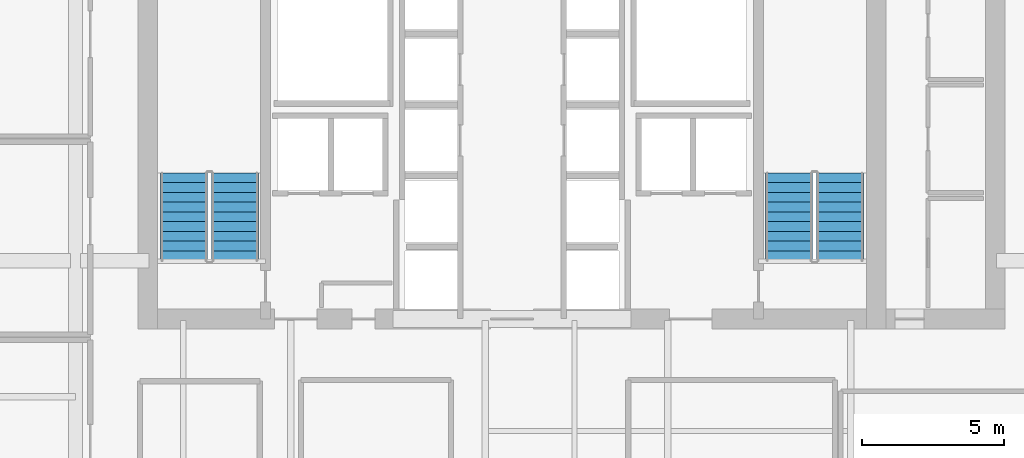
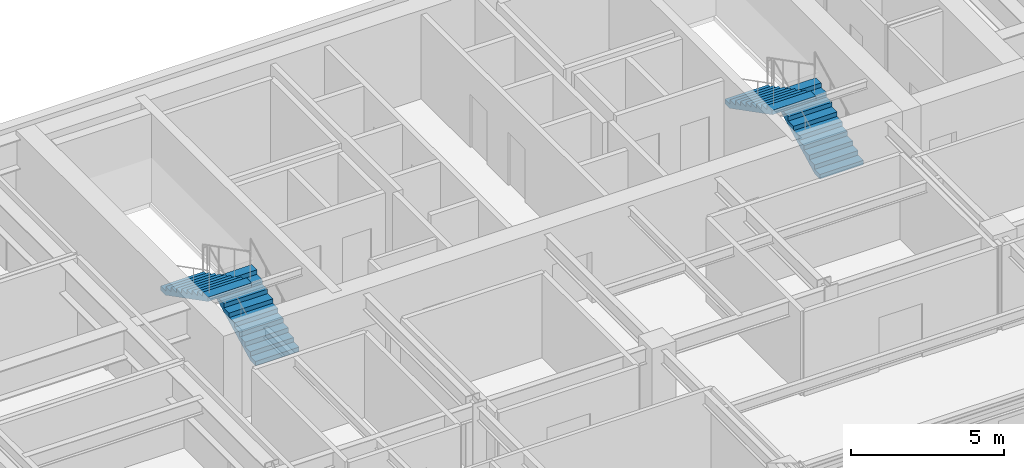
# One storey, part 23 of 25: 4 stair flights, 2 elements without a shape of their own.
"""IFC4 building model written with IfcOpenShell, lengths in metres."""

from ifc_helpers import new_model, si_unit, direction, frame, origin, place, context, subcontext, project, spatial, polyline, outline, extrude, material, type_object, element, aggregate, save


model = new_model("IFC4")

# Units and contexts
model_context = context("Model", 3, precision=1e-05, world=origin(), true_north=direction((0.0, 1.0)))
body_context = subcontext(model_context, "Body", "Model", "MODEL_VIEW")
ifc_project = project(units=[si_unit("LENGTHUNIT", "METRE"), si_unit("AREAUNIT", "SQUARE_METRE"), si_unit("VOLUMEUNIT", "CUBIC_METRE"), si_unit("PLANEANGLEUNIT", "RADIAN"), si_unit("MASSUNIT", "GRAM", prefix="KILO")], contexts=[model_context])

# Site, building, storey
site_placement = place(None, origin())
site = spatial("IfcSite", under=ifc_project, at=site_placement, CompositionType="ELEMENT")
building_placement = place(site_placement, origin())
building = spatial("IfcBuilding", under=site, at=building_placement, Name="Tolvann Quenvar Hotel", CompositionType="ELEMENT")
storey_placement = place(building_placement, frame((0.0, 0.0, 122.199951171875)))
storey = spatial("IfcBuildingStorey", under=building, at=storey_placement, Name="L31", CompositionType="ELEMENT", Elevation=122.199951171875)

# Stair, stair flights
ifc_material = material(Name="Concrete N40 (40 MPa)", Category="concrete")
stair_type = type_object("IfcStairType", Name="STAIR", PredefinedType="HALF_TURN_STAIR", material=ifc_material)
stair_1_placement = place(storey_placement, origin())
stair_1 = element("IfcStair", 1, at=stair_1_placement, inside=storey, type_object=stair_type, Name="L31 ST-C1", PredefinedType="HALF_TURN_STAIR")
stair_flight_type = type_object("IfcStairFlightType", Name="STAIR_FLIGHT", PredefinedType="STRAIGHT", material=ifc_material)
stair_flight_1_placement = place(storey_placement, frame((13.22509765625, 34.0, 0.0), z_axis=(0.0, 0.0, 1.0), x_axis=(0.0, 1.0, 0.0)))
stair_flight_1 = element("IfcStairFlight", 2, at=stair_flight_1_placement, type_object=stair_flight_type, Name="ST-C1 flight 1", NumberOfRisers=10, NumberOfTreads=9, PredefinedType="STRAIGHT", RiserHeight=0.1775, TreadLength=0.345, context=body_context, shape_type="SweptSolid", body=[
    extrude(outline(polyline([(0.0, 0.0), (0.0, 0.177490234375), (0.344970703125, 0.177490234375), (0.344970703125, 0.35498046875), (0.68994140625, 0.35498046875), (0.68994140625, 0.532470703125), (1.034912109375, 0.532470703125), (1.034912109375, 0.7099609375), (1.3798828125, 0.7099609375), (1.3798828125, 0.887451171875), (1.72509765625, 0.887451171875), (1.72509765625, 1.06494140625), (2.070068359375, 1.06494140625), (2.070068359375, 1.242431640625), (2.4150390625, 1.242431640625), (2.4150390625, 1.419921875), (2.760009765625, 1.419921875), (2.760009765625, 1.597412109375), (3.10498046875, 1.597412109375), (3.10498046875, 1.77490234375), (3.10498046875, 1.428955078125), (0.32763671875, 0.0), (0.0, 0.0)])), frame((0.0, 0.824951171875, 0.0), z_axis=(0.0, -1.0, 0.0), x_axis=(1.0, 0.0, 0.0)), (0.0, 0.0, 1.0), 1.64990234375),
])
stair_flight_2_placement = place(storey_placement, frame((11.425048828125, 37.10498046875, 1.775146484375), z_axis=(0.0, 0.0, 1.0), x_axis=(0.0, -1.0, 0.0)))
stair_flight_2 = element("IfcStairFlight", 3, at=stair_flight_2_placement, type_object=stair_flight_type, Name="ST-C1 flight 2", NumberOfRisers=10, NumberOfTreads=9, PredefinedType="STRAIGHT", RiserHeight=0.1775, TreadLength=0.345, context=body_context, shape_type="SweptSolid", body=[
    extrude(outline(polyline([(0.0, 0.0), (0.0, 0.177490234375), (0.344970703125, 0.177490234375), (0.344970703125, 0.35498046875), (0.68994140625, 0.35498046875), (0.68994140625, 0.532470703125), (1.034912109375, 0.532470703125), (1.034912109375, 0.7099609375), (1.3798828125, 0.7099609375), (1.3798828125, 0.887451171875), (1.72509765625, 0.887451171875), (1.72509765625, 1.06494140625), (2.070068359375, 1.06494140625), (2.070068359375, 1.242431640625), (2.4150390625, 1.242431640625), (2.4150390625, 1.419921875), (2.760009765625, 1.419921875), (2.760009765625, 1.597412109375), (3.10498046875, 1.597412109375), (3.10498046875, 1.77490234375), (3.10498046875, 1.428955078125), (0.32763671875, 0.0), (0.0, 0.0)])), frame((0.0, 0.824951171875, 0.0), z_axis=(0.0, -1.0, 0.0), x_axis=(1.0, 0.0, 0.0)), (0.0, 0.0, 1.0), 1.64990234375),
])
aggregate(stair_1, [stair_flight_1, stair_flight_2])

stair_2_placement = place(storey_placement, origin())
stair_2 = element("IfcStair", 4, at=stair_2_placement, inside=storey, type_object=stair_type, Name="L31 ST-C2", PredefinedType="HALF_TURN_STAIR")
stair_flight_3_placement = place(storey_placement, frame((34.574951171875, 34.0, 0.0), z_axis=(0.0, 0.0, 1.0), x_axis=(0.0, 1.0, 0.0)))
stair_flight_3 = element("IfcStairFlight", 5, at=stair_flight_3_placement, type_object=stair_flight_type, Name="ST-C2 flight 1", NumberOfRisers=10, NumberOfTreads=9, PredefinedType="STRAIGHT", RiserHeight=0.1775, TreadLength=0.345, context=body_context, shape_type="SweptSolid", body=[
    extrude(outline(polyline([(0.0, 0.0), (0.0, 0.177490234375), (0.344970703125, 0.177490234375), (0.344970703125, 0.35498046875), (0.68994140625, 0.35498046875), (0.68994140625, 0.532470703125), (1.034912109375, 0.532470703125), (1.034912109375, 0.7099609375), (1.3798828125, 0.7099609375), (1.3798828125, 0.887451171875), (1.72509765625, 0.887451171875), (1.72509765625, 1.06494140625), (2.070068359375, 1.06494140625), (2.070068359375, 1.242431640625), (2.4150390625, 1.242431640625), (2.4150390625, 1.419921875), (2.760009765625, 1.419921875), (2.760009765625, 1.597412109375), (3.10498046875, 1.597412109375), (3.10498046875, 1.77490234375), (3.10498046875, 1.428955078125), (0.32763671875, 0.0), (0.0, 0.0)])), frame((0.0, 0.824951171875, 0.0), z_axis=(0.0, -1.0, 0.0), x_axis=(1.0, 0.0, 0.0)), (0.0, 0.0, 1.0), 1.64990234375),
])
stair_flight_4_placement = place(storey_placement, frame((32.77490234375, 37.10498046875, 1.775146484375), z_axis=(0.0, 0.0, 1.0), x_axis=(0.0, -1.0, 0.0)))
stair_flight_4 = element("IfcStairFlight", 6, at=stair_flight_4_placement, type_object=stair_flight_type, Name="ST-C2 flight 2", NumberOfRisers=10, NumberOfTreads=9, PredefinedType="STRAIGHT", RiserHeight=0.1775, TreadLength=0.345, context=body_context, shape_type="SweptSolid", body=[
    extrude(outline(polyline([(0.0, 0.0), (0.0, 0.177490234375), (0.344970703125, 0.177490234375), (0.344970703125, 0.35498046875), (0.68994140625, 0.35498046875), (0.68994140625, 0.532470703125), (1.034912109375, 0.532470703125), (1.034912109375, 0.7099609375), (1.3798828125, 0.7099609375), (1.3798828125, 0.887451171875), (1.72509765625, 0.887451171875), (1.72509765625, 1.06494140625), (2.070068359375, 1.06494140625), (2.070068359375, 1.242431640625), (2.4150390625, 1.242431640625), (2.4150390625, 1.419921875), (2.760009765625, 1.419921875), (2.760009765625, 1.597412109375), (3.10498046875, 1.597412109375), (3.10498046875, 1.77490234375), (3.10498046875, 1.428955078125), (0.32763671875, 0.0), (0.0, 0.0)])), frame((0.0, 0.824951171875, 0.0), z_axis=(0.0, -1.0, 0.0), x_axis=(1.0, 0.0, 0.0)), (0.0, 0.0, 1.0), 1.64990234375),
])
aggregate(stair_2, [stair_flight_3, stair_flight_4])

save(model, "model.ifc")
